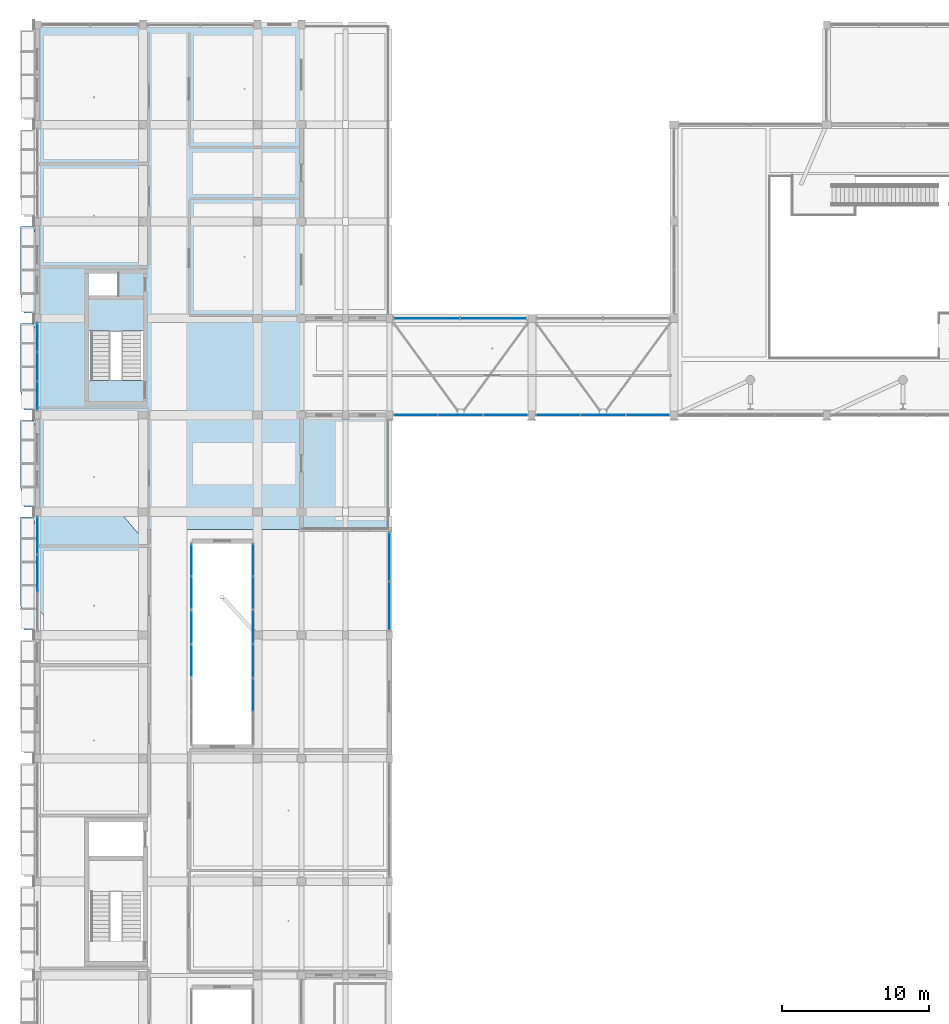
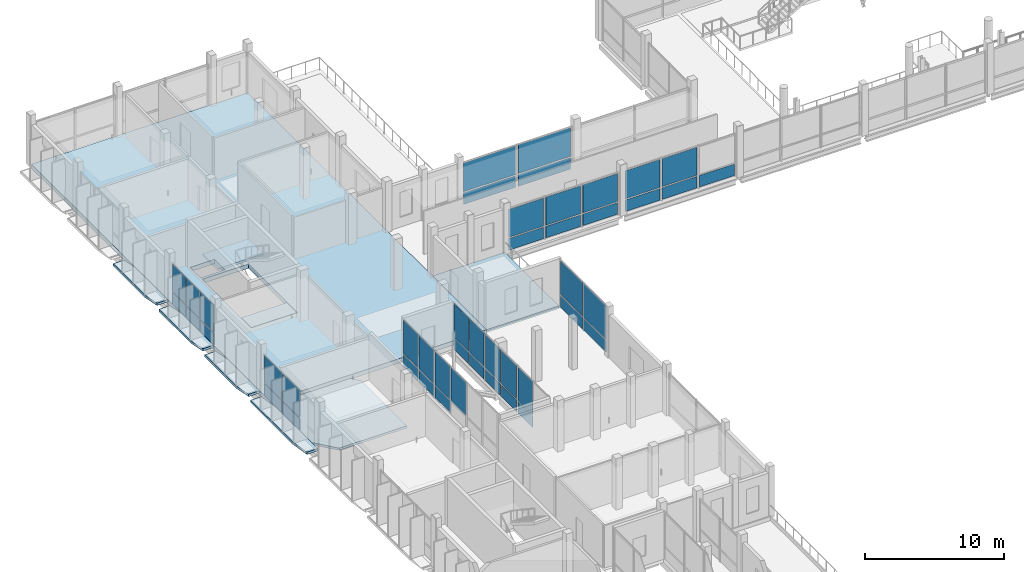
# One storey, part 45 of 95: 46 plates, 9 slabs, 12 elements without a shape of their own.
"""IFC4 building model written with IfcOpenShell, lengths in metres."""

import ifcopenshell
import ifcopenshell.guid

model = None  # the IFC model being written
_history = None  # IfcOwnerHistory: only IFC2X3 demands one
_inside = {}  # id of a spatial element -> (the spatial element, [elements in it])
_under = {}  # id of a project, library or spatial element -> (it, [spatial elements below it])
_declared = {}  # id of a project -> (the project, [libraries it declares])
_typed = {}  # id of a type object -> (the type object, [elements of that type])
_made_of = {}  # id of a material, layer set ... -> (it, [elements and type objects made of it])


def new_model(schema):
    """Start an empty IFC model of exactly this schema.

    Asked for "IFC4X3", IfcOpenShell would pick the latest addendum, in which some entities
    have other attributes; the version numbers below select the first issue.
    IFC2X3 requires an IfcOwnerHistory on every rooted entity: one is made here for all.
    """
    global model, _history
    if schema == "IFC4X3":
        model = ifcopenshell.file(schema_version=(4, 3, 0, 0))
    else:
        model = ifcopenshell.file(schema=schema)
    _inside.clear()
    _under.clear()
    _declared.clear()
    _typed.clear()
    _made_of.clear()
    _history = None
    if model.schema == "IFC2X3":
        org = make("IfcOrganization", Name="unknown")
        user = make(
            "IfcPersonAndOrganization",
            ThePerson=make("IfcPerson", FamilyName="unknown"),
            TheOrganization=org,
        )
        app = make(
            "IfcApplication",
            ApplicationDeveloper=org,
            Version="unknown",
            ApplicationFullName="unknown",
            ApplicationIdentifier="unknown",
        )
        _history = make(
            "IfcOwnerHistory",
            OwningUser=user,
            OwningApplication=app,
            ChangeAction="ADDED",
            CreationDate=0,
        )
    return model


def make(cls, **values):
    """One entity of the class cls with the attributes given. An attribute that is None is left unset."""
    return model.create_entity(
        cls, **{name: value for name, value in values.items() if value is not None}
    )


def rooted(cls, **values):
    """An entity with a GlobalId (a new one), such as an element, a storey or a relation."""
    return make(cls, GlobalId=ifcopenshell.guid.new(), OwnerHistory=_history, **values)


def si_unit(unit_type, name, prefix=None):
    """IfcSIUnit, for example si_unit("LENGTHUNIT", "METRE", prefix="MILLI")."""
    return make("IfcSIUnit", UnitType=unit_type, Prefix=prefix, Name=name)


def derived_unit(unit_type, elements):
    """IfcDerivedUnit: a product of units, each with its exponent."""
    return make(
        "IfcDerivedUnit",
        Elements=[
            make("IfcDerivedUnitElement", Unit=unit, Exponent=power)
            for unit, power in elements
        ],
        UnitType=unit_type,
    )


def assignment(units):
    """IfcUnitAssignment: the units of a project."""
    return None if units is None else make("IfcUnitAssignment", Units=units)


def point(xyz):
    """IfcCartesianPoint."""
    return None if xyz is None else make("IfcCartesianPoint", Coordinates=xyz)


def direction(xyz):
    """IfcDirection."""
    return None if xyz is None else make("IfcDirection", DirectionRatios=xyz)


def frame(location, z_axis=None, x_axis=None):
    """IfcAxis2Placement3D, a coordinate frame: its origin and axes. An axis left out is left unset."""
    return make(
        "IfcAxis2Placement3D",
        Location=point(location),
        Axis=direction(z_axis),
        RefDirection=direction(x_axis),
    )


def frame_2d(location, x_axis=None):
    """IfcAxis2Placement2D, a coordinate frame in the plane: its origin and x axis."""
    return make(
        "IfcAxis2Placement2D", Location=point(location), RefDirection=direction(x_axis)
    )


def origin():
    """The frame at (0, 0, 0) with its axes left unset."""
    return frame((0.0, 0.0, 0.0))


def origin_2d():
    """The frame at (0, 0) in the plane with its x axis left unset."""
    return frame_2d((0.0, 0.0))


def place(relative_to, where):
    """IfcLocalPlacement: puts the frame where relative to a parent placement (None: the world)."""
    return make(
        "IfcLocalPlacement", PlacementRelTo=relative_to, RelativePlacement=where
    )


def context(
    kind, dimensions, precision=None, world=None, true_north=None, identifier=None
):
    """IfcGeometricRepresentationContext, for example the 3D "Model" context."""
    return make(
        "IfcGeometricRepresentationContext",
        ContextIdentifier=identifier,
        ContextType=kind,
        CoordinateSpaceDimension=dimensions,
        Precision=precision,
        WorldCoordinateSystem=world,
        TrueNorth=true_north,
    )


def subcontext(parent, identifier, kind, view, scale=None):
    """IfcGeometricRepresentationSubContext, for example "Body" below "Model"."""
    return make(
        "IfcGeometricRepresentationSubContext",
        ContextIdentifier=identifier,
        ContextType=kind,
        ParentContext=parent,
        TargetScale=scale,
        TargetView=view,
    )


def project(units=None, contexts=None):
    """IfcProject with its units and contexts."""
    return rooted(
        "IfcProject",
        Name="project",
        RepresentationContexts=contexts,
        UnitsInContext=assignment(units),
    )


def spatial(cls, under=None, at=None, **own):
    """A site, building, storey or space (cls), placed at a placement, below another one or the project."""
    s = rooted(cls, ObjectPlacement=at, **own)
    if under is not None:
        _under.setdefault(under.id(), (under, []))[1].append(s)
    return s


def polyline(points):
    """IfcPolyline through the points."""
    return make("IfcPolyline", Points=[point(p) for p in points])


def profile(cls, at=None, kind="AREA", **sizes):
    """A parametric profile (cls). Its sizes go by their IFC names, for example OverallWidth=200.0."""
    return make(cls, ProfileType=kind, Position=at, **sizes)


def rectangle(**sizes):
    """IfcRectangleProfileDef."""
    return profile("IfcRectangleProfileDef", **sizes)


def outline(outer, holes=None, kind="AREA"):
    """IfcArbitraryClosedProfileDef: a profile drawn as a closed curve; with holes, ...WithVoids."""
    if holes is None:
        return make("IfcArbitraryClosedProfileDef", ProfileType=kind, OuterCurve=outer)
    return make(
        "IfcArbitraryProfileDefWithVoids",
        ProfileType=kind,
        OuterCurve=outer,
        InnerCurves=holes,
    )


def extrude(swept, where, along, depth):
    """IfcExtrudedAreaSolid: the profile swept, set in the frame where, extruded along a direction by depth."""
    return make(
        "IfcExtrudedAreaSolid",
        SweptArea=swept,
        Position=where,
        ExtrudedDirection=direction(along),
        Depth=depth,
    )


def shape(context_of_items, identifier, shape_type, items):
    """IfcShapeRepresentation: the items that make up one representation, for example the "Body"."""
    return make(
        "IfcShapeRepresentation",
        ContextOfItems=context_of_items,
        RepresentationIdentifier=identifier,
        RepresentationType=shape_type,
        Items=items,
    )


def material(Name=None, Category=None):
    """IfcMaterial."""
    return make("IfcMaterial", Name=Name, Category=Category)


def layer(
    of_material, thickness, ventilated=None, Name=None, Category=None, Priority=None
):
    """IfcMaterialLayer: one layer of a wall or slab, of a material (None: an air gap)."""
    return make(
        "IfcMaterialLayer",
        Material=of_material,
        LayerThickness=thickness,
        IsVentilated=ventilated,
        Name=Name,
        Category=Category,
        Priority=Priority,
    )


def layer_set(layers, Name=None):
    """IfcMaterialLayerSet."""
    return make("IfcMaterialLayerSet", MaterialLayers=layers, LayerSetName=Name)


def made_of(thing, what):
    """Note that an element or type object is made of a material, layer set ...; save() writes the relation."""
    if what is not None:
        _made_of.setdefault(what.id(), (what, []))[1].append(thing)
    return thing


def type_object(cls, material=None, **own):
    """A type object (cls), such as IfcWallType, which elements share."""
    return made_of(rooted(cls, **own), material)


def element(
    cls,
    number,
    at=None,
    inside=None,
    cuts=None,
    type_object=None,
    material=None,
    context=None,
    identifier="Body",
    shape_type=None,
    held_by="IfcProductDefinitionShape",
    body=None,
    shapes=None,
    **own,
):
    """One element of the class cls, such as IfcWall. Its Tag is "e" and its number.

    at: its placement. inside: the storey or other place that contains it. cuts: it is an
    opening in that element (IfcRelVoidsElement). A single representation is given by context,
    identifier, shape_type and body (its items); several are given by shapes. held_by: the class
    of the entity that holds the representations. save() writes the other relations.
    """
    e = rooted(cls, Tag="e%d" % number, ObjectPlacement=at, **own)
    if body is not None:
        shapes = [shape(context, identifier, shape_type, body)]
    if shapes is not None:
        e.Representation = make(held_by, Representations=shapes)
    if inside is not None:
        _inside.setdefault(inside.id(), (inside, []))[1].append(e)
    if cuts is not None:
        rooted(
            "IfcRelVoidsElement", RelatingBuildingElement=cuts, RelatedOpeningElement=e
        )
    if type_object is not None:
        _typed.setdefault(type_object.id(), (type_object, []))[1].append(e)
    return made_of(e, material)


def aggregate(whole, parts):
    """IfcRelAggregates: a whole, such as a stair, and the parts it consists of."""
    return rooted("IfcRelAggregates", RelatingObject=whole, RelatedObjects=parts)


def save(model, path):
    """Write the relations noted so far, then the file.

    IfcRelAggregates (storeys below a building ...), IfcRelContainedInSpatialStructure (elements
    in a storey), IfcRelDefinesByType, IfcRelAssociatesMaterial and IfcRelDeclares: one each for
    every whole, place, type object, material and project.
    """
    for whole, parts in _under.values():
        aggregate(whole, parts)
    for where, things in _inside.values():
        rooted(
            "IfcRelContainedInSpatialStructure",
            RelatedElements=things,
            RelatingStructure=where,
        )
    for kind, things in _typed.values():
        rooted("IfcRelDefinesByType", RelatedObjects=things, RelatingType=kind)
    for what, things in _made_of.values():
        rooted("IfcRelAssociatesMaterial", RelatedObjects=things, RelatingMaterial=what)
    for by, libraries in _declared.values():
        rooted("IfcRelDeclares", RelatingContext=by, RelatedDefinitions=libraries)
    model.write(path)


model = new_model("IFC4")

# Units and contexts
model_context = context("Model", 3, precision=1e-05, world=origin(), true_north=direction((0.0, 1.0)))
body_context = subcontext(model_context, "Body", "Model", "MODEL_VIEW")
ifc_project = project(units=[si_unit("LENGTHUNIT", "METRE"), si_unit("AREAUNIT", "SQUARE_METRE"), si_unit("VOLUMEUNIT", "CUBIC_METRE"), si_unit("PLANEANGLEUNIT", "RADIAN"), si_unit("MASSUNIT", "GRAM", prefix="KILO"), derived_unit("THERMALTRANSMITTANCEUNIT", [(si_unit("POWERUNIT", "WATT"), 1), (si_unit("LENGTHUNIT", "METRE"), -2), (si_unit("THERMODYNAMICTEMPERATUREUNIT", "KELVIN"), -1)])], contexts=[model_context])

# Site, building, storey
site_placement = place(None, origin())
site = spatial("IfcSite", under=ifc_project, at=site_placement, CompositionType="ELEMENT")
building_placement = place(site_placement, origin())
building = spatial("IfcBuilding", under=site, at=building_placement, Name="Braskholm Square Health Centre", CompositionType="ELEMENT")
storey_placement = place(building_placement, frame((0.0, 0.0, 4.800048828125)))
storey = spatial("IfcBuildingStorey", under=building, at=storey_placement, Name="L02", CompositionType="ELEMENT", Elevation=4.800048828125)

# Curtain wall, plates
ifc_material_1 = material(Name="Low-E triple insulating glass (VLT 0.64)", Category="glass")
curtain_wall_type_1 = type_object("IfcCurtainWallType", Name="UnitisedCurtainWall6200x3650", PredefinedType="NOTDEFINED", material=ifc_material_1)
curtain_wall_1_placement = place(storey_placement, origin())
curtain_wall_1 = element("IfcCurtainWall", 1, at=curtain_wall_1_placement, inside=storey, type_object=curtain_wall_type_1, Name="West Outer unitised curtain wall CW-L02-0012", PredefinedType="NOTDEFINED")
ifc_material_2 = material(Name="Architectural bronze anodised aluminium", Category="aluminium")
plate_type_1 = type_object("IfcPlateType", Name="CurtainPanelSpandrel1850x1020", PredefinedType="CURTAIN_PANEL", material=ifc_material_2)
plate_1_placement = place(storey_placement, frame((4.199951171875, 92.506591796875, 0.050048828125), z_axis=(0.0, 0.0, 1.0), x_axis=(0.0, -1.0, 0.0)))
plate_1 = element("IfcPlate", 2, at=plate_1_placement, type_object=plate_type_1, Name="CW-L02-0012 spandrel panel 1", PredefinedType="CURTAIN_PANEL", context=body_context, shape_type="SweptSolid", body=[
    extrude(rectangle(XDim=1.88623046875, YDim=0.035888671875, at=origin_2d()), origin(), (0.0, 0.0, 1.0), 1.02001953125),
])
plate_2_placement = place(storey_placement, frame((4.199951171875, 90.5, 0.050048828125), z_axis=(0.0, 0.0, 1.0), x_axis=(0.0, -1.0, 0.0)))
plate_2 = element("IfcPlate", 3, at=plate_2_placement, type_object=plate_type_1, Name="CW-L02-0012 spandrel panel 2", PredefinedType="CURTAIN_PANEL", context=body_context, shape_type="SweptSolid", body=[
    extrude(rectangle(XDim=1.88623046875, YDim=0.035888671875, at=origin_2d()), origin(), (0.0, 0.0, 1.0), 1.02001953125),
])
plate_3_placement = place(storey_placement, frame((4.199951171875, 88.493408203125, 0.050048828125), z_axis=(0.0, 0.0, 1.0), x_axis=(0.0, -1.0, 0.0)))
plate_3 = element("IfcPlate", 4, at=plate_3_placement, type_object=plate_type_1, Name="CW-L02-0012 spandrel panel 3", PredefinedType="CURTAIN_PANEL", context=body_context, shape_type="SweptSolid", body=[
    extrude(rectangle(XDim=1.88623046875, YDim=0.035888671875, at=origin_2d()), origin(), (0.0, 0.0, 1.0), 1.02001953125),
])

# Curtain wall, plate
curtain_wall_type_2 = type_object("IfcCurtainWallType", Name="UnitisedCurtainWall4800x4100", PredefinedType="NOTDEFINED", material=ifc_material_1)
curtain_wall_2_placement = place(storey_placement, origin())
curtain_wall_2 = element("IfcCurtainWall", 5, at=curtain_wall_2_placement, inside=storey, type_object=curtain_wall_type_2, Name="WC2 Court E unitised curtain wall CW-L02-0292", PredefinedType="NOTDEFINED")
plate_type_2 = type_object("IfcPlateType", Name="CurtainPanelSpandrel2150x1020", PredefinedType="CURTAIN_PANEL", material=ifc_material_2)
plate_4_placement = place(storey_placement, frame((18.89990234375, 68.117919921875, 0.050048828125), z_axis=(0.0, 0.0, 1.0), x_axis=(0.0, -1.0, 0.0)))
plate_4 = element("IfcPlate", 6, at=plate_4_placement, type_object=plate_type_2, Name="CW-L02-0292 spandrel panel 1", PredefinedType="CURTAIN_PANEL", context=body_context, shape_type="SweptSolid", body=[
    extrude(rectangle(XDim=2.125244140625, YDim=0.035888671875, at=origin_2d()), origin(), (0.0, 0.0, 1.0), 1.02001953125),
])

curtain_wall_3_placement = place(storey_placement, origin())
curtain_wall_3 = element("IfcCurtainWall", 7, at=curtain_wall_3_placement, inside=storey, type_object=curtain_wall_type_2, Name="WC2 Court W unitised curtain wall CW-L02-0293", PredefinedType="NOTDEFINED")
plate_5_placement = place(storey_placement, frame((14.699951171875, 72.75, 0.050048828125), z_axis=(0.0, 0.0, 1.0), x_axis=(0.0, 1.0, 0.0)))
plate_5 = element("IfcPlate", 8, at=plate_5_placement, type_object=plate_type_2, Name="CW-L02-0293 spandrel panel 2", PredefinedType="CURTAIN_PANEL", context=body_context, shape_type="SweptSolid", body=[
    extrude(rectangle(XDim=2.188232421875, YDim=0.035888671875, at=origin_2d()), origin(), (0.0, 0.0, 1.0), 1.02001953125),
])

# Curtain wall, plates
curtain_wall_4_placement = place(storey_placement, origin())
curtain_wall_4 = element("IfcCurtainWall", 9, at=curtain_wall_4_placement, inside=storey, type_object=curtain_wall_type_2, Name="WC2 Court E unitised curtain wall CW-L02-0294", PredefinedType="NOTDEFINED")
plate_6_placement = place(storey_placement, frame((18.89990234375, 72.75, 0.050048828125), z_axis=(0.0, 0.0, 1.0), x_axis=(0.0, -1.0, 0.0)))
plate_6 = element("IfcPlate", 10, at=plate_6_placement, type_object=plate_type_2, Name="CW-L02-0294 spandrel panel 1", PredefinedType="CURTAIN_PANEL", context=body_context, shape_type="SweptSolid", body=[
    extrude(rectangle(XDim=2.188232421875, YDim=0.035888671875, at=origin_2d()), origin(), (0.0, 0.0, 1.0), 1.02001953125),
])
plate_7_placement = place(storey_placement, frame((18.89990234375, 70.449951171875, 0.050048828125), z_axis=(0.0, 0.0, 1.0), x_axis=(0.0, -1.0, 0.0)))
plate_7 = element("IfcPlate", 11, at=plate_7_placement, type_object=plate_type_2, Name="CW-L02-0294 spandrel panel 2", PredefinedType="CURTAIN_PANEL", context=body_context, shape_type="SweptSolid", body=[
    extrude(rectangle(XDim=2.188232421875, YDim=0.035888671875, at=origin_2d()), origin(), (0.0, 0.0, 1.0), 1.02001953125),
])

curtain_wall_5_placement = place(storey_placement, origin())
curtain_wall_5 = element("IfcCurtainWall", 12, at=curtain_wall_5_placement, inside=storey, type_object=curtain_wall_type_2, Name="WC2 Court W unitised curtain wall CW-L02-0295", PredefinedType="NOTDEFINED")
plate_8_placement = place(storey_placement, frame((14.699951171875, 75.08203125, 0.050048828125), z_axis=(0.0, 0.0, 1.0), x_axis=(0.0, 1.0, 0.0)))
plate_8 = element("IfcPlate", 13, at=plate_8_placement, type_object=plate_type_2, Name="CW-L02-0295 spandrel panel 1", PredefinedType="CURTAIN_PANEL", context=body_context, shape_type="SweptSolid", body=[
    extrude(rectangle(XDim=2.125244140625, YDim=0.035888671875, at=origin_2d()), origin(), (0.0, 0.0, 1.0), 1.02001953125),
])
plate_9_placement = place(storey_placement, frame((14.699951171875, 77.31591796875, 0.050048828125), z_axis=(0.0, 0.0, 1.0), x_axis=(0.0, 1.0, 0.0)))
plate_9 = element("IfcPlate", 14, at=plate_9_placement, type_object=plate_type_2, Name="CW-L02-0295 spandrel panel 2", PredefinedType="CURTAIN_PANEL", context=body_context, shape_type="SweptSolid", body=[
    extrude(rectangle(XDim=2.125244140625, YDim=0.035888671875, at=origin_2d()), origin(), (0.0, 0.0, 1.0), 1.02001953125),
])

curtain_wall_6_placement = place(storey_placement, origin())
curtain_wall_6 = element("IfcCurtainWall", 15, at=curtain_wall_6_placement, inside=storey, type_object=curtain_wall_type_2, Name="WC2 Court E unitised curtain wall CW-L02-0296", PredefinedType="NOTDEFINED")
plate_10_placement = place(storey_placement, frame((18.89990234375, 77.31591796875, 0.050048828125), z_axis=(0.0, 0.0, 1.0), x_axis=(0.0, -1.0, 0.0)))
plate_10 = element("IfcPlate", 16, at=plate_10_placement, type_object=plate_type_2, Name="CW-L02-0296 spandrel panel 1", PredefinedType="CURTAIN_PANEL", context=body_context, shape_type="SweptSolid", body=[
    extrude(rectangle(XDim=2.125244140625, YDim=0.035888671875, at=origin_2d()), origin(), (0.0, 0.0, 1.0), 1.02001953125),
])
plate_11_placement = place(storey_placement, frame((18.89990234375, 75.08203125, 0.050048828125), z_axis=(0.0, 0.0, 1.0), x_axis=(0.0, -1.0, 0.0)))
plate_11 = element("IfcPlate", 17, at=plate_11_placement, type_object=plate_type_2, Name="CW-L02-0296 spandrel panel 2", PredefinedType="CURTAIN_PANEL", context=body_context, shape_type="SweptSolid", body=[
    extrude(rectangle(XDim=2.125244140625, YDim=0.035888671875, at=origin_2d()), origin(), (0.0, 0.0, 1.0), 1.02001953125),
])

curtain_wall_7_placement = place(storey_placement, origin())
curtain_wall_7 = element("IfcCurtainWall", 18, at=curtain_wall_7_placement, inside=storey, type_object=curtain_wall_type_1, Name="West Outer unitised curtain wall CW-L02-0011", PredefinedType="NOTDEFINED")
plate_type_3 = type_object("IfcPlateType", Name="CurtainPanelSpandrel2750x1020", PredefinedType="CURTAIN_PANEL", material=ifc_material_2)
plate_12_placement = place(storey_placement, frame((4.199951171875, 79.006591796875, 0.050048828125), z_axis=(0.0, 0.0, 1.0), x_axis=(0.0, -1.0, 0.0)))
plate_12 = element("IfcPlate", 19, at=plate_12_placement, type_object=plate_type_3, Name="CW-L02-0011 spandrel panel 1", PredefinedType="CURTAIN_PANEL", context=body_context, shape_type="SweptSolid", body=[
    extrude(rectangle(XDim=2.4501953125, YDim=0.035888671875, at=origin_2d()), origin(), (0.0, 0.0, 1.0), 1.02001953125),
])
plate_13_placement = place(storey_placement, frame((4.199951171875, 76.39990234375, 0.050048828125), z_axis=(0.0, 0.0, 1.0), x_axis=(0.0, -1.0, 0.0)))
plate_13 = element("IfcPlate", 20, at=plate_13_placement, type_object=plate_type_3, Name="CW-L02-0011 spandrel panel 2", PredefinedType="CURTAIN_PANEL", context=body_context, shape_type="SweptSolid", body=[
    extrude(rectangle(XDim=2.4501953125, YDim=0.035888671875, at=origin_2d()), origin(), (0.0, 0.0, 1.0), 1.02001953125),
])

curtain_wall_type_3 = type_object("IfcCurtainWallType", Name="UnitisedCurtainWall6200x3800", PredefinedType="NOTDEFINED", material=ifc_material_1)
curtain_wall_8_placement = place(storey_placement, origin())
curtain_wall_8 = element("IfcCurtainWall", 21, at=curtain_wall_8_placement, inside=storey, type_object=curtain_wall_type_3, Name="Hall Gallery L02 unitised curtain wall CW-L02-0172", PredefinedType="NOTDEFINED")
plate_14_placement = place(storey_placement, frame((29.97119140625, 87.199951171875, 0.050048828125), z_axis=(0.0, 0.0, 1.0), x_axis=(1.0, 0.0, 0.0)))
plate_14 = element("IfcPlate", 22, at=plate_14_placement, type_object=plate_type_3, Name="CW-L02-0172 spandrel panel 1", PredefinedType="CURTAIN_PANEL", context=body_context, shape_type="SweptSolid", body=[
    extrude(rectangle(XDim=2.893798828125, YDim=0.035888671875, at=origin_2d()), origin(), (0.0, 0.0, 1.0), 1.02001953125),
])
plate_15_placement = place(storey_placement, frame((33.050048828125, 87.199951171875, 0.050048828125), z_axis=(0.0, 0.0, 1.0), x_axis=(1.0, 0.0, 0.0)))
plate_15 = element("IfcPlate", 23, at=plate_15_placement, type_object=plate_type_3, Name="CW-L02-0172 spandrel panel 2", PredefinedType="CURTAIN_PANEL", context=body_context, shape_type="SweptSolid", body=[
    extrude(rectangle(XDim=2.893798828125, YDim=0.035888671875, at=origin_2d()), origin(), (0.0, 0.0, 1.0), 1.02001953125),
])
plate_16_placement = place(storey_placement, frame((36.128662109375, 87.199951171875, 0.050048828125), z_axis=(0.0, 0.0, 1.0), x_axis=(1.0, 0.0, 0.0)))
plate_16 = element("IfcPlate", 24, at=plate_16_placement, type_object=plate_type_3, Name="CW-L02-0172 spandrel panel 3", PredefinedType="CURTAIN_PANEL", context=body_context, shape_type="SweptSolid", body=[
    extrude(rectangle(XDim=2.893798828125, YDim=0.035888671875, at=origin_2d()), origin(), (0.0, 0.0, 1.0), 1.02001953125),
])

curtain_wall_9_placement = place(storey_placement, origin())
curtain_wall_9 = element("IfcCurtainWall", 25, at=curtain_wall_9_placement, inside=storey, type_object=curtain_wall_type_3, Name="Hall Gallery L02 unitised curtain wall CW-L02-0178", PredefinedType="NOTDEFINED")
plate_17_placement = place(storey_placement, frame((39.67138671875, 87.199951171875, 0.050048828125), z_axis=(0.0, 0.0, 1.0), x_axis=(1.0, 0.0, 0.0)))
plate_17 = element("IfcPlate", 26, at=plate_17_placement, type_object=plate_type_3, Name="CW-L02-0178 spandrel panel 1", PredefinedType="CURTAIN_PANEL", context=body_context, shape_type="SweptSolid", body=[
    extrude(rectangle(XDim=2.893798828125, YDim=0.035888671875, at=origin_2d()), origin(), (0.0, 0.0, 1.0), 1.02001953125),
])
plate_18_placement = place(storey_placement, frame((42.75, 87.199951171875, 0.050048828125), z_axis=(0.0, 0.0, 1.0), x_axis=(1.0, 0.0, 0.0)))
plate_18 = element("IfcPlate", 27, at=plate_18_placement, type_object=plate_type_3, Name="CW-L02-0178 spandrel panel 2", PredefinedType="CURTAIN_PANEL", context=body_context, shape_type="SweptSolid", body=[
    extrude(rectangle(XDim=2.893798828125, YDim=0.035888671875, at=origin_2d()), origin(), (0.0, 0.0, 1.0), 1.02001953125),
])
plate_19_placement = place(storey_placement, frame((45.82861328125, 87.199951171875, 0.050048828125), z_axis=(0.0, 0.0, 1.0), x_axis=(1.0, 0.0, 0.0)))
plate_19 = element("IfcPlate", 28, at=plate_19_placement, type_object=plate_type_3, Name="CW-L02-0178 spandrel panel 3", PredefinedType="CURTAIN_PANEL", context=body_context, shape_type="SweptSolid", body=[
    extrude(rectangle(XDim=2.893798828125, YDim=0.035888671875, at=origin_2d()), origin(), (0.0, 0.0, 1.0), 1.02001953125),
])

curtain_wall_type_4 = type_object("IfcCurtainWallType", Name="UnitisedCurtainWall6200x4100", PredefinedType="NOTDEFINED", material=ifc_material_1)
curtain_wall_10_placement = place(storey_placement, origin())
curtain_wall_10 = element("IfcCurtainWall", 29, at=curtain_wall_10_placement, inside=storey, type_object=curtain_wall_type_4, Name="West Valley unitised curtain wall CW-L02-0089", PredefinedType="NOTDEFINED")
plate_type_4 = type_object("IfcPlateType", Name="CurtainPanelSpandrel3150x1020", PredefinedType="CURTAIN_PANEL", material=ifc_material_2)
plate_20_placement = place(storey_placement, frame((28.199951171875, 74.19482421875, 0.050048828125), z_axis=(0.0, 0.0, 1.0), x_axis=(0.0, 1.0, 0.0)))
plate_20 = element("IfcPlate", 30, at=plate_20_placement, type_object=plate_type_4, Name="CW-L02-0089 spandrel panel 1", PredefinedType="CURTAIN_PANEL", context=body_context, shape_type="SweptSolid", body=[
    extrude(rectangle(XDim=3.185791015625, YDim=0.035888671875, at=origin_2d()), origin(), (0.0, 0.0, 1.0), 1.02001953125),
])
plate_21_placement = place(storey_placement, frame((28.199951171875, 77.543212890625, 0.050048828125), z_axis=(0.0, 0.0, 1.0), x_axis=(0.0, 1.0, 0.0)))
plate_21 = element("IfcPlate", 31, at=plate_21_placement, type_object=plate_type_4, Name="CW-L02-0089 spandrel panel 2", PredefinedType="CURTAIN_PANEL", context=body_context, shape_type="SweptSolid", body=[
    extrude(rectangle(XDim=3.185791015625, YDim=0.035888671875, at=origin_2d()), origin(), (0.0, 0.0, 1.0), 1.02001953125),
])

curtain_wall_11_placement = place(storey_placement, origin())
curtain_wall_11 = element("IfcCurtainWall", 32, at=curtain_wall_11_placement, inside=storey, type_object=curtain_wall_type_3, Name="Portal North L02 unitised curtain wall CW-L02-0175", PredefinedType="NOTDEFINED")
plate_type_5 = type_object("IfcPlateType", Name="CurtainPanelSpandrel4350x1020", PredefinedType="CURTAIN_PANEL", material=ifc_material_2)
plate_22_placement = place(storey_placement, frame((35.295166015625, 93.800048828125, 0.050048828125), z_axis=(0.0, 0.0, 1.0), x_axis=(-1.0, 0.0, 0.0)))
plate_22 = element("IfcPlate", 33, at=plate_22_placement, type_object=plate_type_5, Name="CW-L02-0175 spandrel panel 1", PredefinedType="CURTAIN_PANEL", context=body_context, shape_type="SweptSolid", body=[
    extrude(rectangle(XDim=4.324462890625, YDim=0.035888671875, at=origin_2d()), origin(), (0.0, 0.0, 1.0), 1.02001953125),
])
plate_23_placement = place(storey_placement, frame((30.75, 93.800048828125, 0.050048828125), z_axis=(0.0, 0.0, 1.0), x_axis=(-1.0, 0.0, 0.0)))
plate_23 = element("IfcPlate", 34, at=plate_23_placement, type_object=plate_type_5, Name="CW-L02-0175 spandrel panel 2", PredefinedType="CURTAIN_PANEL", context=body_context, shape_type="SweptSolid", body=[
    extrude(rectangle(XDim=4.324462890625, YDim=0.035888671875, at=origin_2d()), origin(), (0.0, 0.0, 1.0), 1.02001953125),
])

# Plate
plate_type_6 = type_object("IfcPlateType", Name="CurtainPanelVision1850x2520", PredefinedType="CURTAIN_PANEL", material=ifc_material_1)
plate_24_placement = place(storey_placement, frame((4.199951171875, 92.506591796875, 1.169921875), z_axis=(0.0, 0.0, 1.0), x_axis=(0.0, -1.0, 0.0)))
plate_24 = element("IfcPlate", 35, at=plate_24_placement, type_object=plate_type_6, Name="CW-L02-0012 vision glass panel 1", PredefinedType="CURTAIN_PANEL", context=body_context, shape_type="SweptSolid", body=[
    extrude(rectangle(XDim=1.88623046875, YDim=0.035888671875, at=origin_2d()), origin(), (0.0, 0.0, 1.0), 2.3701171875),
])

plate_25_placement = place(storey_placement, frame((4.199951171875, 90.5, 1.169921875), z_axis=(0.0, 0.0, 1.0), x_axis=(0.0, -1.0, 0.0)))
plate_25 = element("IfcPlate", 36, at=plate_25_placement, type_object=plate_type_6, Name="CW-L02-0012 vision glass panel 2", PredefinedType="CURTAIN_PANEL", context=body_context, shape_type="SweptSolid", body=[
    extrude(rectangle(XDim=1.88623046875, YDim=0.035888671875, at=origin_2d()), origin(), (0.0, 0.0, 1.0), 2.3701171875),
])

plate_26_placement = place(storey_placement, frame((4.199951171875, 88.493408203125, 1.169921875), z_axis=(0.0, 0.0, 1.0), x_axis=(0.0, -1.0, 0.0)))
plate_26 = element("IfcPlate", 37, at=plate_26_placement, type_object=plate_type_6, Name="CW-L02-0012 vision glass panel 3", PredefinedType="CURTAIN_PANEL", context=body_context, shape_type="SweptSolid", body=[
    extrude(rectangle(XDim=1.88623046875, YDim=0.035888671875, at=origin_2d()), origin(), (0.0, 0.0, 1.0), 2.3701171875),
])

aggregate(curtain_wall_1, [plate_1, plate_24, plate_2, plate_25, plate_3, plate_26])

plate_type_7 = type_object("IfcPlateType", Name="CurtainPanelVision2150x2950", PredefinedType="CURTAIN_PANEL", material=ifc_material_1)
plate_27_placement = place(storey_placement, frame((18.89990234375, 68.117919921875, 1.169921875), z_axis=(0.0, 0.0, 1.0), x_axis=(0.0, -1.0, 0.0)))
plate_27 = element("IfcPlate", 38, at=plate_27_placement, type_object=plate_type_7, Name="CW-L02-0292 vision glass panel 1", PredefinedType="CURTAIN_PANEL", context=body_context, shape_type="SweptSolid", body=[
    extrude(rectangle(XDim=2.125244140625, YDim=0.035888671875, at=origin_2d()), origin(), (0.0, 0.0, 1.0), 2.919921875),
])

aggregate(curtain_wall_2, [plate_4, plate_27])

plate_28_placement = place(storey_placement, frame((14.699951171875, 70.449951171875, 1.169921875), z_axis=(0.0, 0.0, 1.0), x_axis=(0.0, 1.0, 0.0)))
plate_28 = element("IfcPlate", 39, at=plate_28_placement, type_object=plate_type_7, Name="CW-L02-0293 vision glass panel 1", PredefinedType="CURTAIN_PANEL", context=body_context, shape_type="SweptSolid", body=[
    extrude(rectangle(XDim=2.188232421875, YDim=0.035888671875, at=origin_2d()), origin(), (0.0, 0.0, 1.0), 2.919921875),
])

plate_29_placement = place(storey_placement, frame((14.699951171875, 72.75, 1.169921875), z_axis=(0.0, 0.0, 1.0), x_axis=(0.0, 1.0, 0.0)))
plate_29 = element("IfcPlate", 40, at=plate_29_placement, type_object=plate_type_7, Name="CW-L02-0293 vision glass panel 2", PredefinedType="CURTAIN_PANEL", context=body_context, shape_type="SweptSolid", body=[
    extrude(rectangle(XDim=2.188232421875, YDim=0.035888671875, at=origin_2d()), origin(), (0.0, 0.0, 1.0), 2.919921875),
])

aggregate(curtain_wall_3, [plate_28, plate_5, plate_29])

plate_30_placement = place(storey_placement, frame((18.89990234375, 72.75, 1.169921875), z_axis=(0.0, 0.0, 1.0), x_axis=(0.0, -1.0, 0.0)))
plate_30 = element("IfcPlate", 41, at=plate_30_placement, type_object=plate_type_7, Name="CW-L02-0294 vision glass panel 1", PredefinedType="CURTAIN_PANEL", context=body_context, shape_type="SweptSolid", body=[
    extrude(rectangle(XDim=2.188232421875, YDim=0.035888671875, at=origin_2d()), origin(), (0.0, 0.0, 1.0), 2.919921875),
])

plate_31_placement = place(storey_placement, frame((18.89990234375, 70.449951171875, 1.169921875), z_axis=(0.0, 0.0, 1.0), x_axis=(0.0, -1.0, 0.0)))
plate_31 = element("IfcPlate", 42, at=plate_31_placement, type_object=plate_type_7, Name="CW-L02-0294 vision glass panel 2", PredefinedType="CURTAIN_PANEL", context=body_context, shape_type="SweptSolid", body=[
    extrude(rectangle(XDim=2.188232421875, YDim=0.035888671875, at=origin_2d()), origin(), (0.0, 0.0, 1.0), 2.919921875),
])

aggregate(curtain_wall_4, [plate_6, plate_30, plate_7, plate_31])

plate_32_placement = place(storey_placement, frame((14.699951171875, 75.08203125, 1.169921875), z_axis=(0.0, 0.0, 1.0), x_axis=(0.0, 1.0, 0.0)))
plate_32 = element("IfcPlate", 43, at=plate_32_placement, type_object=plate_type_7, Name="CW-L02-0295 vision glass panel 1", PredefinedType="CURTAIN_PANEL", context=body_context, shape_type="SweptSolid", body=[
    extrude(rectangle(XDim=2.125244140625, YDim=0.035888671875, at=origin_2d()), origin(), (0.0, 0.0, 1.0), 2.919921875),
])

plate_33_placement = place(storey_placement, frame((14.699951171875, 77.31591796875, 1.169921875), z_axis=(0.0, 0.0, 1.0), x_axis=(0.0, 1.0, 0.0)))
plate_33 = element("IfcPlate", 44, at=plate_33_placement, type_object=plate_type_7, Name="CW-L02-0295 vision glass panel 2", PredefinedType="CURTAIN_PANEL", context=body_context, shape_type="SweptSolid", body=[
    extrude(rectangle(XDim=2.125244140625, YDim=0.035888671875, at=origin_2d()), origin(), (0.0, 0.0, 1.0), 2.919921875),
])

aggregate(curtain_wall_5, [plate_8, plate_32, plate_9, plate_33])

plate_34_placement = place(storey_placement, frame((18.89990234375, 77.31591796875, 1.169921875), z_axis=(0.0, 0.0, 1.0), x_axis=(0.0, -1.0, 0.0)))
plate_34 = element("IfcPlate", 45, at=plate_34_placement, type_object=plate_type_7, Name="CW-L02-0296 vision glass panel 1", PredefinedType="CURTAIN_PANEL", context=body_context, shape_type="SweptSolid", body=[
    extrude(rectangle(XDim=2.125244140625, YDim=0.035888671875, at=origin_2d()), origin(), (0.0, 0.0, 1.0), 2.919921875),
])

plate_35_placement = place(storey_placement, frame((18.89990234375, 75.08203125, 1.169921875), z_axis=(0.0, 0.0, 1.0), x_axis=(0.0, -1.0, 0.0)))
plate_35 = element("IfcPlate", 46, at=plate_35_placement, type_object=plate_type_7, Name="CW-L02-0296 vision glass panel 2", PredefinedType="CURTAIN_PANEL", context=body_context, shape_type="SweptSolid", body=[
    extrude(rectangle(XDim=2.125244140625, YDim=0.035888671875, at=origin_2d()), origin(), (0.0, 0.0, 1.0), 2.919921875),
])

aggregate(curtain_wall_6, [plate_10, plate_34, plate_11, plate_35])

plate_type_8 = type_object("IfcPlateType", Name="CurtainPanelVision2750x2520", PredefinedType="CURTAIN_PANEL", material=ifc_material_1)
plate_36_placement = place(storey_placement, frame((4.199951171875, 79.006591796875, 1.169921875), z_axis=(0.0, 0.0, 1.0), x_axis=(0.0, -1.0, 0.0)))
plate_36 = element("IfcPlate", 47, at=plate_36_placement, type_object=plate_type_8, Name="CW-L02-0011 vision glass panel 1", PredefinedType="CURTAIN_PANEL", context=body_context, shape_type="SweptSolid", body=[
    extrude(rectangle(XDim=2.4501953125, YDim=0.035888671875, at=origin_2d()), origin(), (0.0, 0.0, 1.0), 2.3701171875),
])

plate_37_placement = place(storey_placement, frame((4.199951171875, 76.39990234375, 1.169921875), z_axis=(0.0, 0.0, 1.0), x_axis=(0.0, -1.0, 0.0)))
plate_37 = element("IfcPlate", 48, at=plate_37_placement, type_object=plate_type_8, Name="CW-L02-0011 vision glass panel 2", PredefinedType="CURTAIN_PANEL", context=body_context, shape_type="SweptSolid", body=[
    extrude(rectangle(XDim=2.4501953125, YDim=0.035888671875, at=origin_2d()), origin(), (0.0, 0.0, 1.0), 2.3701171875),
])

aggregate(curtain_wall_7, [plate_12, plate_36, plate_13, plate_37])

plate_38_placement = place(storey_placement, frame((29.97119140625, 87.199951171875, 1.169921875), z_axis=(0.0, 0.0, 1.0), x_axis=(1.0, 0.0, 0.0)))
plate_38 = element("IfcPlate", 49, at=plate_38_placement, type_object=plate_type_8, Name="CW-L02-0172 vision glass panel 1", PredefinedType="CURTAIN_PANEL", context=body_context, shape_type="SweptSolid", body=[
    extrude(rectangle(XDim=2.893798828125, YDim=0.035888671875, at=origin_2d()), origin(), (0.0, 0.0, 1.0), 2.4599609375),
])

plate_39_placement = place(storey_placement, frame((33.050048828125, 87.199951171875, 1.169921875), z_axis=(0.0, 0.0, 1.0), x_axis=(1.0, 0.0, 0.0)))
plate_39 = element("IfcPlate", 50, at=plate_39_placement, type_object=plate_type_8, Name="CW-L02-0172 vision glass panel 2", PredefinedType="CURTAIN_PANEL", context=body_context, shape_type="SweptSolid", body=[
    extrude(rectangle(XDim=2.893798828125, YDim=0.035888671875, at=origin_2d()), origin(), (0.0, 0.0, 1.0), 2.4599609375),
])

plate_40_placement = place(storey_placement, frame((36.128662109375, 87.199951171875, 1.169921875), z_axis=(0.0, 0.0, 1.0), x_axis=(1.0, 0.0, 0.0)))
plate_40 = element("IfcPlate", 51, at=plate_40_placement, type_object=plate_type_8, Name="CW-L02-0172 vision glass panel 3", PredefinedType="CURTAIN_PANEL", context=body_context, shape_type="SweptSolid", body=[
    extrude(rectangle(XDim=2.893798828125, YDim=0.035888671875, at=origin_2d()), origin(), (0.0, 0.0, 1.0), 2.4599609375),
])

aggregate(curtain_wall_8, [plate_14, plate_38, plate_15, plate_39, plate_16, plate_40])

plate_41_placement = place(storey_placement, frame((39.67138671875, 87.199951171875, 1.169921875), z_axis=(0.0, 0.0, 1.0), x_axis=(1.0, 0.0, 0.0)))
plate_41 = element("IfcPlate", 52, at=plate_41_placement, type_object=plate_type_8, Name="CW-L02-0178 vision glass panel 1", PredefinedType="CURTAIN_PANEL", context=body_context, shape_type="SweptSolid", body=[
    extrude(rectangle(XDim=2.893798828125, YDim=0.035888671875, at=origin_2d()), origin(), (0.0, 0.0, 1.0), 2.4599609375),
])

plate_42_placement = place(storey_placement, frame((42.75, 87.199951171875, 1.169921875), z_axis=(0.0, 0.0, 1.0), x_axis=(1.0, 0.0, 0.0)))
plate_42 = element("IfcPlate", 53, at=plate_42_placement, type_object=plate_type_8, Name="CW-L02-0178 vision glass panel 2", PredefinedType="CURTAIN_PANEL", context=body_context, shape_type="SweptSolid", body=[
    extrude(rectangle(XDim=2.893798828125, YDim=0.035888671875, at=origin_2d()), origin(), (0.0, 0.0, 1.0), 2.4599609375),
])

aggregate(curtain_wall_9, [plate_17, plate_41, plate_18, plate_42, plate_19])

plate_type_9 = type_object("IfcPlateType", Name="CurtainPanelVision3150x2950", PredefinedType="CURTAIN_PANEL", material=ifc_material_1)
plate_43_placement = place(storey_placement, frame((28.199951171875, 74.19482421875, 1.169921875), z_axis=(0.0, 0.0, 1.0), x_axis=(0.0, 1.0, 0.0)))
plate_43 = element("IfcPlate", 54, at=plate_43_placement, type_object=plate_type_9, Name="CW-L02-0089 vision glass panel 1", PredefinedType="CURTAIN_PANEL", context=body_context, shape_type="SweptSolid", body=[
    extrude(rectangle(XDim=3.185791015625, YDim=0.035888671875, at=origin_2d()), origin(), (0.0, 0.0, 1.0), 2.969970703125),
])

plate_44_placement = place(storey_placement, frame((28.199951171875, 77.543212890625, 1.169921875), z_axis=(0.0, 0.0, 1.0), x_axis=(0.0, 1.0, 0.0)))
plate_44 = element("IfcPlate", 55, at=plate_44_placement, type_object=plate_type_9, Name="CW-L02-0089 vision glass panel 2", PredefinedType="CURTAIN_PANEL", context=body_context, shape_type="SweptSolid", body=[
    extrude(rectangle(XDim=3.185791015625, YDim=0.035888671875, at=origin_2d()), origin(), (0.0, 0.0, 1.0), 2.969970703125),
])

aggregate(curtain_wall_10, [plate_20, plate_43, plate_21, plate_44])

plate_type_10 = type_object("IfcPlateType", Name="CurtainPanelVision4350x2520", PredefinedType="CURTAIN_PANEL", material=ifc_material_1)
plate_45_placement = place(storey_placement, frame((35.295166015625, 93.800048828125, 1.169921875), z_axis=(0.0, 0.0, 1.0), x_axis=(-1.0, 0.0, 0.0)))
plate_45 = element("IfcPlate", 56, at=plate_45_placement, type_object=plate_type_10, Name="CW-L02-0175 vision glass panel 1", PredefinedType="CURTAIN_PANEL", context=body_context, shape_type="SweptSolid", body=[
    extrude(rectangle(XDim=4.324462890625, YDim=0.035888671875, at=origin_2d()), origin(), (0.0, 0.0, 1.0), 2.52001953125),
])

plate_46_placement = place(storey_placement, frame((30.75, 93.800048828125, 1.169921875), z_axis=(0.0, 0.0, 1.0), x_axis=(-1.0, 0.0, 0.0)))
plate_46 = element("IfcPlate", 57, at=plate_46_placement, type_object=plate_type_10, Name="CW-L02-0175 vision glass panel 2", PredefinedType="CURTAIN_PANEL", context=body_context, shape_type="SweptSolid", body=[
    extrude(rectangle(XDim=4.324462890625, YDim=0.035888671875, at=origin_2d()), origin(), (0.0, 0.0, 1.0), 2.52001953125),
])

aggregate(curtain_wall_11, [plate_22, plate_45, plate_23, plate_46])

# Slabs
ifc_material_3 = material(Name="Concrete C35/45 (f'c = 35 MPa)", Category="concrete")
ifc_layer_1 = layer(ifc_material_3, 0.3798828125)
ifc_layer_set_1 = layer_set([ifc_layer_1], Name="Concrete C35/45 (f'c = 35 MPa)")
slab_type_1 = type_object("IfcSlabType", Name="ImagingVibrationFlatSlab380", PredefinedType="FLOOR", material=ifc_layer_set_1)
slab_1_placement = place(storey_placement, frame((0.0, 0.0, -0.380126953125)))
element("IfcSlab", 58, at=slab_1_placement, inside=storey, type_object=slab_type_1, Name="Level L02 V5 Shielded MRI and CT diagnostic slab", PredefinedType="FLOOR", context=body_context, shape_type="SweptSolid", body=[
    extrude(outline(polyline([(4.199951171875, 79.39990234375), (22.199951171875, 79.39990234375), (22.199951171875, 113.800048828125), (4.199951171875, 113.800048828125), (4.199951171875, 79.39990234375)]), holes=[polyline([(7.6298828125, 88.080078125), (11.469970703125, 88.080078125), (11.469970703125, 95.1201171875), (7.6298828125, 95.1201171875), (7.6298828125, 88.080078125)]), polyline([(7.6298828125, 95.35009765625), (9.64990234375, 95.35009765625), (9.64990234375, 96.85009765625), (7.6298828125, 96.85009765625), (7.6298828125, 95.35009765625)])]), origin(), (0.0, 0.0, 1.0), 0.380126953125),
])
ifc_material_4 = material(Name="Precast concrete C40/50 architectural white", Category="concrete")
ifc_layer_2 = layer(ifc_material_4, 0.2099609375)
ifc_layer_set_2 = layer_set([ifc_layer_2], Name="Precast concrete C40/50 architectural white")
slab_type_2 = type_object("IfcSlabType", Name="PitchedAndCrownRoofSlab150", PredefinedType="ROOF", material=ifc_layer_set_2)
slab_2_placement = place(storey_placement, frame((0.0, 0.0, -0.2099609375)))
element("IfcSlab", 59, at=slab_2_placement, inside=storey, type_object=slab_type_2, Name="Level L02 West precast planter ledge 011", PredefinedType="ROOF", context=body_context, shape_type="SweptSolid", body=[
    extrude(outline(polyline([(3.302978515625, 72.550048828125), (4.199951171875, 72.550048828125), (4.199951171875, 78.555908203125), (3.947021484375, 80.25), (3.050048828125, 80.25), (3.050048828125, 74.243896484375), (3.302978515625, 72.550048828125)])), origin(), (0.0, 0.0, 1.0), 0.2099609375),
])
slab_3_placement = place(storey_placement, frame((0.0, 0.0, -0.2099609375)))
element("IfcSlab", 60, at=slab_3_placement, inside=storey, type_object=slab_type_2, Name="Level L02 West precast planter ledge 012", PredefinedType="ROOF", context=body_context, shape_type="SweptSolid", body=[
    extrude(outline(polyline([(3.302978515625, 80.949951171875), (4.199951171875, 80.949951171875), (4.199951171875, 85.552001953125), (3.947021484375, 86.85009765625), (3.050048828125, 86.85009765625), (3.050048828125, 82.248046875), (3.302978515625, 80.949951171875)])), origin(), (0.0, 0.0, 1.0), 0.2099609375),
])
slab_4_placement = place(storey_placement, frame((0.0, 0.0, -0.2099609375)))
element("IfcSlab", 61, at=slab_4_placement, inside=storey, type_object=slab_type_2, Name="Level L02 West precast planter ledge 013", PredefinedType="ROOF", context=body_context, shape_type="SweptSolid", body=[
    extrude(outline(polyline([(3.302978515625, 87.550048828125), (4.199951171875, 87.550048828125), (4.199951171875, 92.152099609375), (3.947021484375, 93.449951171875), (3.050048828125, 93.449951171875), (3.050048828125, 88.847900390625), (3.302978515625, 87.550048828125)])), origin(), (0.0, 0.0, 1.0), 0.2099609375),
])
slab_5_placement = place(storey_placement, frame((0.0, 0.0, -0.2099609375)))
element("IfcSlab", 62, at=slab_5_placement, inside=storey, type_object=slab_type_2, Name="Level L02 West precast planter ledge 014", PredefinedType="ROOF", context=body_context, shape_type="SweptSolid", body=[
    extrude(outline(polyline([(3.302978515625, 94.14990234375), (4.199951171875, 94.14990234375), (4.199951171875, 98.751953125), (3.947021484375, 100.050048828125), (3.050048828125, 100.050048828125), (3.050048828125, 95.447998046875), (3.302978515625, 94.14990234375)])), origin(), (0.0, 0.0, 1.0), 0.2099609375),
])
ifc_layer_3 = layer(ifc_material_3, 0.25)
ifc_layer_set_3 = layer_set([ifc_layer_3], Name="Concrete C35/45 (f'c = 35 MPa)")
slab_type_3 = type_object("IfcSlabType", Name="PlantedTerraceRoofSlab250", PredefinedType="ROOF", material=ifc_layer_set_3)
slab_6_placement = place(storey_placement, frame((0.0, 0.0, -0.25)))
element("IfcSlab", 63, at=slab_6_placement, inside=storey, type_object=slab_type_3, Name="Level L02 Northwest colonnade planted terrace slab", PredefinedType="ROOF", context=body_context, shape_type="SweptSolid", body=[
    extrude(outline(polyline([(22.199951171875, 79.39990234375), (28.199951171875, 79.39990234375), (28.199951171875, 87.199951171875), (22.199951171875, 87.199951171875), (22.199951171875, 79.39990234375)])), origin(), (0.0, 0.0, 1.0), 0.25),
])
ifc_layer_4 = layer(ifc_material_3, 0.199951171875)
ifc_layer_set_4 = layer_set([ifc_layer_4], Name="Concrete C35/45 (f'c = 35 MPa)")
slab_type_4 = type_object("IfcSlabType", Name="PunchingDropPanel200", PredefinedType="USERDEFINED", material=ifc_layer_set_4)
slab_7_placement = place(storey_placement, frame((0.0, 0.0, -0.5)))
element("IfcSlab", 64, at=slab_7_placement, inside=storey, type_object=slab_type_4, Name="Thickened vibration drop panel 006 L02", ObjectType="DROPPANEL", PredefinedType="USERDEFINED", context=body_context, shape_type="SweptSolid", body=[
    extrude(outline(polyline([(5.783935546875, 72.199951171875), (11.39990234375, 72.199951171875), (11.39990234375, 78.751953125), (9.81591796875, 80.60009765625), (4.199951171875, 80.60009765625), (4.199951171875, 74.048095703125), (5.783935546875, 72.199951171875)])), origin(), (0.0, 0.0, 1.0), 0.199951171875),
])

# Stair, slabs
stair_type = type_object("IfcStairType", Name="ExitReturnStairL02", PredefinedType="HALF_TURN_STAIR", material=ifc_material_3)
stair_placement = place(storey_placement, origin())
stair = element("IfcStair", 65, at=stair_placement, inside=storey, type_object=stair_type, Name="Enclosed exit stair ST-03 L02 to L03", PredefinedType="HALF_TURN_STAIR")
ifc_layer_5 = layer(ifc_material_3, 0.179931640625)
ifc_layer_set_5 = layer_set([ifc_layer_5], Name="Concrete C35/45 (f'c = 35 MPa)")
slab_type_5 = type_object("IfcSlabType", Name="StairLandingSlab180", PredefinedType="LANDING", material=ifc_layer_set_5)
slab_8_placement = place(storey_placement, frame((0.0, 0.0, 2.070068359375)))
slab_8 = element("IfcSlab", 66, at=slab_8_placement, type_object=slab_type_5, Name="Stair ST-03 half-landing L02", PredefinedType="LANDING", context=body_context, shape_type="SweptSolid", body=[
    extrude(outline(polyline([(7.64990234375, 92.919921875), (11.449951171875, 92.919921875), (11.449951171875, 95.10009765625), (7.64990234375, 95.10009765625), (7.64990234375, 92.919921875)])), origin(), (0.0, 0.0, 1.0), 0.179931640625),
])
slab_9_placement = place(storey_placement, frame((0.0, 0.0, -0.179931640625)))
slab_9 = element("IfcSlab", 67, at=slab_9_placement, type_object=slab_type_5, Name="Stair ST-03 floor landing L02", PredefinedType="LANDING", context=body_context, shape_type="SweptSolid", body=[
    extrude(outline(polyline([(7.64990234375, 88.10009765625), (11.449951171875, 88.10009765625), (11.449951171875, 89.56005859375), (7.64990234375, 89.56005859375), (7.64990234375, 88.10009765625)])), origin(), (0.0, 0.0, 1.0), 0.179931640625),
])
aggregate(stair, [slab_8, slab_9])

save(model, "model.ifc")
